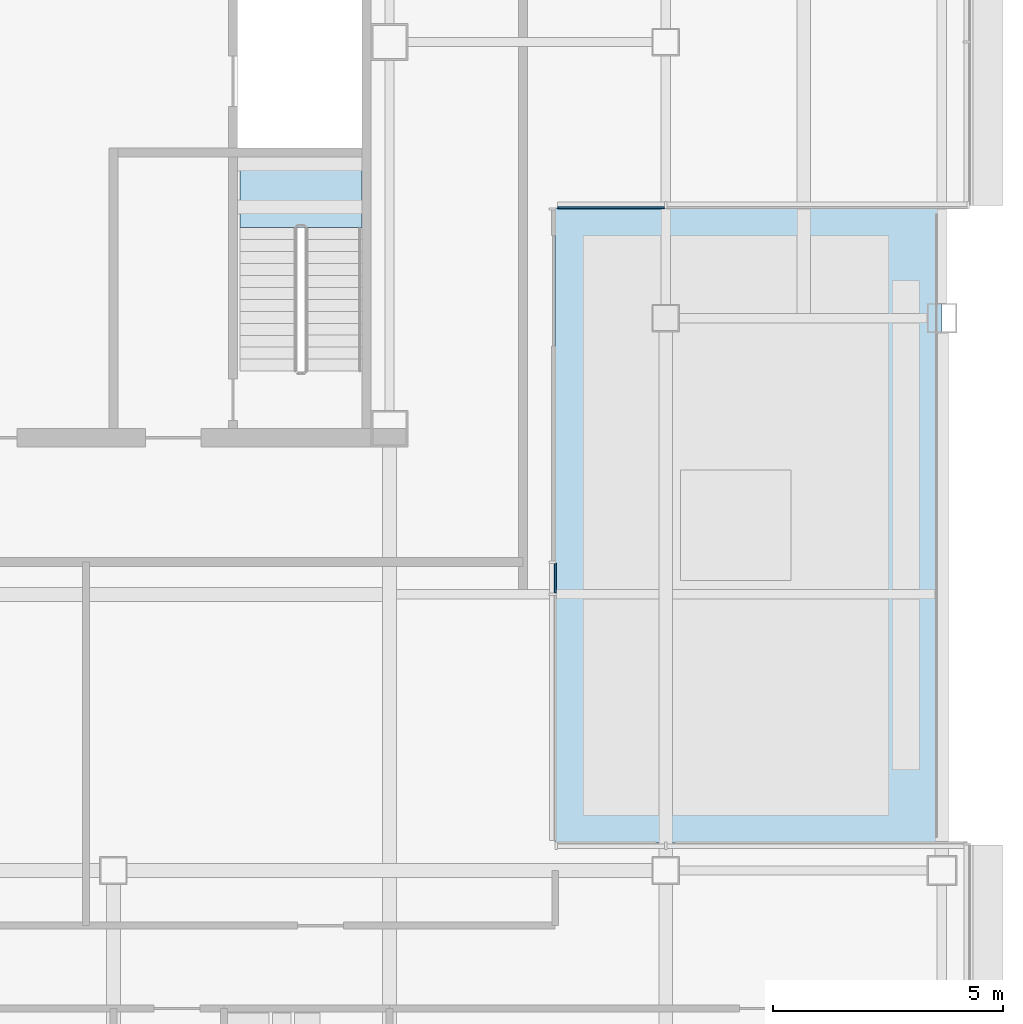
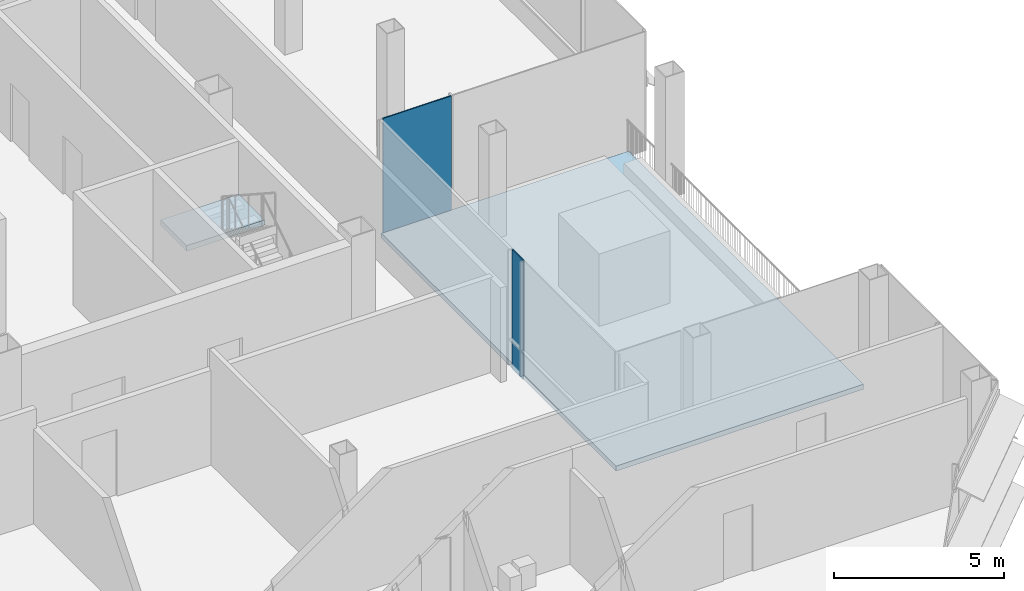
# One storey, part 20 of 30: 2 plates, 2 slabs, 3 elements without a shape of their own.
"""IFC4 building model written with IfcOpenShell, lengths in metres."""

from ifc_helpers import new_model, si_unit, direction, frame, origin, origin_2d, place, context, subcontext, project, spatial, polyline, rectangle, outline, extrude, material, layer, layer_set, type_object, element, aggregate, save


model = new_model("IFC4")

# Units and contexts
model_context = context("Model", 3, precision=1e-05, world=origin(), true_north=direction((0.0, 1.0)))
body_context = subcontext(model_context, "Body", "Model", "MODEL_VIEW")
ifc_project = project(units=[si_unit("LENGTHUNIT", "METRE"), si_unit("AREAUNIT", "SQUARE_METRE"), si_unit("VOLUMEUNIT", "CUBIC_METRE"), si_unit("PLANEANGLEUNIT", "RADIAN"), si_unit("MASSUNIT", "GRAM", prefix="KILO")], contexts=[model_context])

# Site, building, storey
site_placement = place(None, origin())
site = spatial("IfcSite", under=ifc_project, at=site_placement, CompositionType="ELEMENT")
building_placement = place(site_placement, origin())
building = spatial("IfcBuilding", under=site, at=building_placement, Name="Sorahane Residences", CompositionType="ELEMENT")
storey_placement = place(building_placement, frame((0.0, 0.0, 229.800048828125)))
storey = spatial("IfcBuildingStorey", under=building, at=storey_placement, Name="L54", CompositionType="ELEMENT", Elevation=229.800048828125)

# Curtain wall, plate
ifc_material_1 = material(Name="Dark low-e glass and black anodised aluminium", Category="aluminium")
curtain_wall_type = type_object("IfcCurtainWallType", Name="Curtain wall CW-1 Typical unitised wall", PredefinedType="NOTDEFINED", material=ifc_material_1)
curtain_wall_1_placement = place(storey_placement, origin())
curtain_wall_1 = element("IfcCurtainWall", 1, at=curtain_wall_1_placement, inside=storey, type_object=curtain_wall_type, Name="CW-1 curtain wall L54 E2", PredefinedType="NOTDEFINED")
ifc_material_2 = material(Name="Dark low-e glass with black ceramic frit", Category="glass")
ifc_layer_1 = layer(ifc_material_2, 0.0400390625)
ifc_layer_set_1 = layer_set([ifc_layer_1], Name="Curtain wall glass panel dark low-e with black frit spandrel band")
plate_type = type_object("IfcPlateType", Name="Curtain wall glass panel dark low-e with black frit spandrel band", PredefinedType="CURTAIN_PANEL", material=ifc_layer_set_1)
plate_1_placement = place(storey_placement, frame((45.60009765625, 18.35009765625, -0.18017578125), z_axis=(0.0, 0.0, 1.0), x_axis=(0.0, 1.0, 0.0)))
plate_1 = element("IfcPlate", 2, at=plate_1_placement, type_object=plate_type, Name="CW-1 glass panel L54 E2.2", PredefinedType="CURTAIN_PANEL", context=body_context, shape_type="SweptSolid", body=[
    extrude(rectangle(XDim=0.64990234375, YDim=0.0400390625, at=origin_2d()), origin(), (0.0, 0.0, 1.0), 4.280029296875),
])
aggregate(curtain_wall_1, [plate_1])

curtain_wall_2_placement = place(storey_placement, origin())
curtain_wall_2 = element("IfcCurtainWall", 3, at=curtain_wall_2_placement, inside=storey, type_object=curtain_wall_type, Name="CW-1 curtain wall L54 S1", PredefinedType="NOTDEFINED")
plate_2_placement = place(storey_placement, frame((46.8125, 26.39990234375, -0.18017578125), z_axis=(0.0, 0.0, 1.0), x_axis=(1.0, 0.0, 0.0)))
plate_2 = element("IfcPlate", 4, at=plate_2_placement, type_object=plate_type, Name="CW-1 glass panel L54 S1.1", PredefinedType="CURTAIN_PANEL", context=body_context, shape_type="SweptSolid", body=[
    extrude(rectangle(XDim=2.324951171875, YDim=0.0400390625, at=origin_2d()), origin(), (0.0, 0.0, 1.0), 4.280029296875),
])
aggregate(curtain_wall_2, [plate_2])

# Stair, slab
ifc_material_3 = material(Name="Concrete C40", Category="concrete")
stair_type = type_object("IfcStairType", Name="Dog-leg stair 1250 Concrete C40", PredefinedType="HALF_TURN_STAIR", material=ifc_material_3)
stair_placement = place(storey_placement, origin())
stair = element("IfcStair", 5, at=stair_placement, inside=storey, type_object=stair_type, Name="L54 Stair S5", PredefinedType="HALF_TURN_STAIR")
ifc_material_4 = material(Name="Concrete C40", Category="concrete")
ifc_layer_2 = layer(ifc_material_4, 0.199951171875)
ifc_layer_set_2 = layer_set([ifc_layer_2], Name="Stair landing 200 Concrete C40")
slab_type_1 = type_object("IfcSlabType", Name="Stair landing 200 Concrete C40", PredefinedType="LANDING", material=ifc_layer_set_2)
slab_1_placement = place(storey_placement, frame((0.0, 0.0, 2.0)))
slab_1 = element("IfcSlab", 6, at=slab_1_placement, type_object=slab_type_1, Name="S5 landing 1", PredefinedType="LANDING", context=body_context, shape_type="SweptSolid", body=[
    extrude(outline(polyline([(41.39990234375, 25.969970703125), (41.39990234375, 27.5), (38.75, 27.5), (38.75, 25.969970703125), (41.39990234375, 25.969970703125)])), origin(), (0.0, 0.0, 1.0), 0.199951171875),
])
aggregate(stair, [slab_1])

# Slab
ifc_material_5 = material(Name="Concrete C35", Category="concrete")
ifc_layer_3 = layer(ifc_material_5, 0.179931640625)
ifc_layer_set_3 = layer_set([ifc_layer_3], Name="Terrace slab Concrete C35 paved")
slab_type_2 = type_object("IfcSlabType", Name="Terrace slab Concrete C35 paved", PredefinedType="FLOOR", material=ifc_layer_set_3)
slab_2_placement = place(storey_placement, frame((0.0, 0.0, -0.179931640625)))
element("IfcSlab", 7, at=slab_2_placement, inside=storey, type_object=slab_type_2, Name="Terrace slab L54.1", PredefinedType="FLOOR", context=body_context, shape_type="SweptSolid", body=[
    extrude(outline(polyline([(54.0, 12.60009765625), (45.60009765625, 12.60009765625), (45.60009765625, 26.39990234375), (54.0, 26.39990234375), (54.0, 12.60009765625)])), origin(), (0.0, 0.0, 1.0), 0.179931640625),
])

save(model, "model.ifc")
